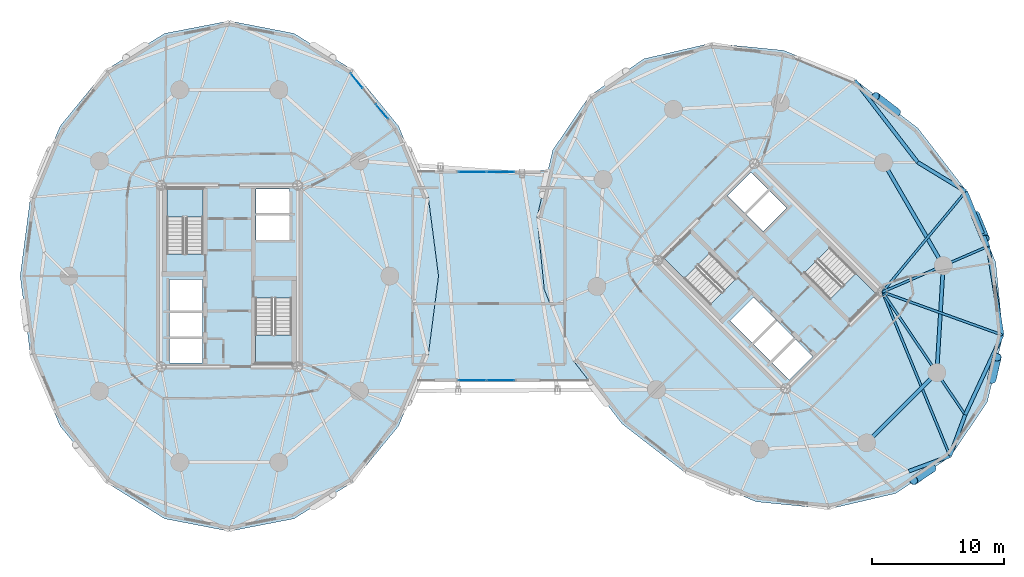
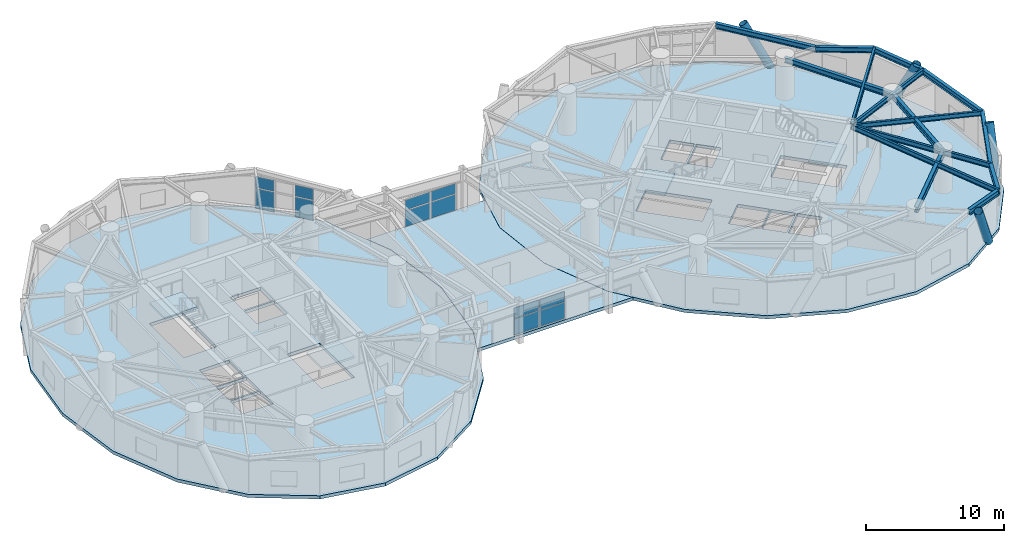
# One storey, part 11 of 19: 15 beams, 12 plates, 7 slabs, 4 members, 7 elements without a shape of their own.
"""IFC4 building model written with IfcOpenShell, lengths in metres."""

from ifc_helpers import new_model, si_unit, direction, frame, origin, origin_2d, place, context, subcontext, project, spatial, polyline, rectangle, hollow_circle, i_section, outline, extrude, source, transform, mapped, material, layer, layer_set, material_profile, profile_set, type_object, element, aggregate, save


model = new_model("IFC4")

# Units and contexts
model_context = context("Model", 3, precision=1e-05, world=origin(), true_north=direction((0.0, 1.0)))
body_context = subcontext(model_context, "Body", "Model", "MODEL_VIEW")
ifc_project = project(units=[si_unit("LENGTHUNIT", "METRE"), si_unit("AREAUNIT", "SQUARE_METRE"), si_unit("VOLUMEUNIT", "CUBIC_METRE"), si_unit("PLANEANGLEUNIT", "RADIAN"), si_unit("MASSUNIT", "GRAM", prefix="KILO")], contexts=[model_context])

# Site, building, storey
site_placement = place(None, origin())
site = spatial("IfcSite", under=ifc_project, at=site_placement, CompositionType="ELEMENT")
building_placement = place(site_placement, origin())
building = spatial("IfcBuilding", under=site, at=building_placement, Name="Cununo Teusaquillo Station Towers", CompositionType="ELEMENT")
storey_placement = place(building_placement, frame((0.0, 0.0, 132.8798828125)))
storey = spatial("IfcBuildingStorey", under=building, at=storey_placement, Name="L42", CompositionType="ELEMENT", Elevation=132.8798828125)

# Beams
ifc_material_1 = material(Name="Steel ASTM A572 Grade 50", Category="steel")
ifc_material_profile_1 = material_profile(ifc_material_1, i_section(OverallWidth=0.180908203125, OverallDepth=0.4169921875, WebThickness=0.010986328125, FlangeThickness=0.018310546875, FilletRadius=0.012939453125, at=origin_2d()), Name="W16X57")
ifc_profile_set_1 = profile_set([ifc_material_profile_1], Name="Steel ASTM A572 Grade 50")
beam_type_1 = type_object("IfcBeamType", Name="BM-JOIST-1", PredefinedType="JOIST", material=ifc_profile_set_1)
beam_1_placement = place(storey_placement, frame((66.024169921875, 23.29443359375, 3.231689453125), z_axis=(0.380485864505, -0.924786735908, 0.0), x_axis=(0.924786735908, 0.380485864505, 0.0)))
element("IfcBeam", 1, at=beam_1_placement, inside=storey, type_object=beam_type_1, Name="L42 Tower B Radial Spandrel Joist V15", PredefinedType="JOIST", context=body_context, shape_type="SweptSolid", body=[
    extrude(i_section(OverallWidth=0.180908203125, OverallDepth=0.4169921875, WebThickness=0.010986328125, FlangeThickness=0.018310546875, FilletRadius=0.012939453125, at=origin_2d()), origin(), (0.0, 0.0, 1.0), 13.44580078125),
])
beam_2_placement = place(storey_placement, frame((66.024169921875, 23.29443359375, 3.231689453125), z_axis=(0.941082771055, -0.338176312038, 0.0), x_axis=(0.338176312038, 0.941082771055, 0.0)))
element("IfcBeam", 2, at=beam_2_placement, inside=storey, type_object=beam_type_1, Name="L42 Tower B Radial Spandrel Joist V17", PredefinedType="JOIST", context=body_context, shape_type="SweptSolid", body=[
    extrude(i_section(OverallWidth=0.180908203125, OverallDepth=0.4169921875, WebThickness=0.010986328125, FlangeThickness=0.018310546875, FilletRadius=0.012939453125, at=origin_2d()), origin(), (0.0, 0.0, 1.0), 9.646484375),
])
beam_3_placement = place(storey_placement, frame((66.024169921875, 23.29443359375, 3.231689453125), z_axis=(0.638372238196, 0.769727799615, 0.0), x_axis=(-0.769727799615, 0.638372238196, 0.0)))
element("IfcBeam", 3, at=beam_3_placement, inside=storey, type_object=beam_type_1, Name="L42 Tower B Radial Spandrel Joist V19", PredefinedType="JOIST", context=body_context, shape_type="SweptSolid", body=[
    extrude(i_section(OverallWidth=0.180908203125, OverallDepth=0.4169921875, WebThickness=0.010986328125, FlangeThickness=0.018310546875, FilletRadius=0.012939453125, at=origin_2d()), origin(), (0.0, 0.0, 1.0), 9.895263671875),
])
ifc_material_2 = material(Name="Steel ASTM A572 Grade 50", Category="steel")
ifc_material_profile_2 = material_profile(ifc_material_2, i_section(OverallWidth=0.180908203125, OverallDepth=0.4169921875, WebThickness=0.010986328125, FlangeThickness=0.018310546875, FilletRadius=0.012939453125, at=origin_2d()), Name="W16X57")
ifc_profile_set_2 = profile_set([ifc_material_profile_2], Name="Steel ASTM A572 Grade 50")
beam_type_2 = type_object("IfcBeamType", Name="BM-RAD-G2", PredefinedType="BEAM", material=ifc_profile_set_2)
beam_4_placement = place(storey_placement, frame((66.024169921875, 23.29443359375, 3.231689453125), z_axis=(0.558572297481, -0.82945583878, 0.0), x_axis=(0.82945583878, 0.558572297481, 0.0)))
element("IfcBeam", 4, at=beam_4_placement, inside=storey, type_object=beam_type_2, Name="L42 Tower B Continuous Overhanging Radial Girder 09", PredefinedType="BEAM", context=body_context, shape_type="SweptSolid", body=[
    extrude(i_section(OverallWidth=0.180908203125, OverallDepth=0.4169921875, WebThickness=0.010986328125, FlangeThickness=0.018310546875, FilletRadius=0.012939453125, at=origin_2d()), origin(), (0.0, 0.0, 1.0), 11.22998046875),
])
beam_5_placement = place(storey_placement, frame((66.024169921875, 23.29443359375, 3.231689453125), z_axis=(0.917654733344, 0.397378648609, 0.0), x_axis=(-0.397378648609, 0.917654733344, 0.0)))
element("IfcBeam", 5, at=beam_5_placement, inside=storey, type_object=beam_type_2, Name="L42 Tower B Continuous Overhanging Radial Girder 10", PredefinedType="BEAM", context=body_context, shape_type="SweptSolid", body=[
    extrude(i_section(OverallWidth=0.180908203125, OverallDepth=0.4169921875, WebThickness=0.010986328125, FlangeThickness=0.018310546875, FilletRadius=0.012939453125, at=origin_2d()), origin(), (0.0, 0.0, 1.0), 8.71484375),
])
ifc_material_3 = material(Name="Steel ASTM A572 Grade 50", Category="steel")
ifc_material_profile_3 = material_profile(ifc_material_3, i_section(OverallWidth=0.280029296875, OverallDepth=0.462890625, WebThickness=0.0107421875, FlangeThickness=0.017333984375, FilletRadius=0.013916015625, at=origin_2d()), Name="W18X76")
ifc_profile_set_3 = profile_set([ifc_material_profile_3], Name="Steel ASTM A572 Grade 50")
beam_type_3 = type_object("IfcBeamType", Name="BM-RING-Z2", PredefinedType="SPANDREL", material=ifc_profile_set_3)
beam_6_placement = place(storey_placement, frame((64.826904296875, 11.853759765625, 3.20849609375), z_axis=(0.707106781187, 0.707106781187, 0.0), x_axis=(-0.707106781187, 0.707106781187, 0.0)))
element("IfcBeam", 6, at=beam_6_placement, inside=storey, type_object=beam_type_3, Name="L42 Tower B Structural Column Ring Girder 08", PredefinedType="SPANDREL", context=body_context, shape_type="SweptSolid", body=[
    extrude(i_section(OverallWidth=0.280029296875, OverallDepth=0.462890625, WebThickness=0.0107421875, FlangeThickness=0.017333984375, FilletRadius=0.013916015625, at=origin_2d()), origin(), (0.0, 0.0, 1.0), 7.522705078125),
])
beam_7_placement = place(storey_placement, frame((70.146240234375, 17.173095703125, 3.20849609375), z_axis=(0.06012979176, 0.998190567048, 0.0), x_axis=(-0.998190567048, 0.06012979176, 0.0)))
element("IfcBeam", 7, at=beam_7_placement, inside=storey, type_object=beam_type_3, Name="L42 Tower B Structural Column Ring Girder 09", PredefinedType="SPANDREL", context=body_context, shape_type="SweptSolid", body=[
    extrude(i_section(OverallWidth=0.280029296875, OverallDepth=0.462890625, WebThickness=0.0107421875, FlangeThickness=0.017333984375, FilletRadius=0.013916015625, at=origin_2d()), origin(), (0.0, 0.0, 1.0), 8.132568359375),
])
beam_8_placement = place(storey_placement, frame((70.63525390625, 25.291015625, 3.20849609375), z_axis=(-0.501311121078, 0.865267103202, 0.0), x_axis=(-0.865267103202, -0.501311121078, 0.0)))
element("IfcBeam", 8, at=beam_8_placement, inside=storey, type_object=beam_type_3, Name="L42 Tower B Structural Column Ring Girder 10", PredefinedType="SPANDREL", context=body_context, shape_type="SweptSolid", body=[
    extrude(i_section(OverallWidth=0.280029296875, OverallDepth=0.462890625, WebThickness=0.0107421875, FlangeThickness=0.017333984375, FilletRadius=0.013916015625, at=origin_2d()), origin(), (0.0, 0.0, 1.0), 9.032958984375),
])
beam_9_placement = place(storey_placement, frame((68.694580078125, 33.12890625, 3.20849609375), z_axis=(-0.610100441726, 0.792324082056, 0.0), x_axis=(-0.792324082056, -0.610100441726, 0.0)))
element("IfcBeam", 9, at=beam_9_placement, inside=storey, type_object=beam_type_3, Name="L42 Tower B Spandrel Ring Beam 01", PredefinedType="SPANDREL", context=body_context, shape_type="SweptSolid", body=[
    extrude(i_section(OverallWidth=0.280029296875, OverallDepth=0.462890625, WebThickness=0.0107421875, FlangeThickness=0.017333984375, FilletRadius=0.013916015625, at=origin_2d()), origin(), (0.0, 0.0, 1.0), 7.84033203125),
])
for number, where, z_axis, x_axis, name in (
    (10, (68.020263671875, 9.703125, 3.20849609375), (0.937628334414, 0.347639333943, 0.0), (-0.347639333943, 0.937628334414, 0.0), "L42 Tower B Spandrel Ring Beam 15"),
    (11, (71.14013671875, 10.85986328125, 3.20849609375), (0.347639333943, 0.937628334414, 0.0), (-0.937628334414, 0.347639333943, 0.0), "L42 Tower B Spandrel Ring Beam 16"),
):
    element("IfcBeam", number, at=place(storey_placement, frame(where, z_axis=z_axis, x_axis=x_axis)), inside=storey, type_object=beam_type_3, Name=name, PredefinedType="SPANDREL", context=body_context, shape_type="SweptSolid", body=[
        extrude(i_section(OverallWidth=0.280029296875, OverallDepth=0.462890625, WebThickness=0.0107421875, FlangeThickness=0.017333984375, FilletRadius=0.013916015625, at=origin_2d()), origin(), (0.0, 0.0, 1.0), 3.327392578125),
    ])
beam_10_placement = place(storey_placement, frame((72.296875, 13.979736328125, 3.20849609375), z_axis=(0.420535961689, 0.907275870354, 0.0), x_axis=(-0.907275870354, 0.420535961689, 0.0)))
element("IfcBeam", 12, at=beam_10_placement, inside=storey, type_object=beam_type_3, Name="L42 Tower B Spandrel Ring Beam 17", PredefinedType="SPANDREL", context=body_context, shape_type="SweptSolid", body=[
    extrude(i_section(OverallWidth=0.280029296875, OverallDepth=0.462890625, WebThickness=0.0107421875, FlangeThickness=0.017333984375, FilletRadius=0.013916015625, at=origin_2d()), origin(), (0.0, 0.0, 1.0), 6.671142578125),
])
beam_11_placement = place(storey_placement, frame((75.102294921875, 20.0322265625, 3.20849609375), z_axis=(-0.158671232312, 0.987331474246, 0.0), x_axis=(-0.987331474246, -0.158671232312, 0.0)))
element("IfcBeam", 13, at=beam_11_placement, inside=storey, type_object=beam_type_3, Name="L42 Tower B Spandrel Ring Beam 18", PredefinedType="SPANDREL", context=body_context, shape_type="SweptSolid", body=[
    extrude(i_section(OverallWidth=0.280029296875, OverallDepth=0.462890625, WebThickness=0.0107421875, FlangeThickness=0.017333984375, FilletRadius=0.013916015625, at=origin_2d()), origin(), (0.0, 0.0, 1.0), 6.8115234375),
])
beam_12_placement = place(storey_placement, frame((74.021484375, 26.757568359375, 3.20849609375), z_axis=(-0.375042266631, 0.927007712072, 0.0), x_axis=(-0.927007712072, -0.375042266631, 0.0)))
element("IfcBeam", 14, at=beam_12_placement, inside=storey, type_object=beam_type_3, Name="L42 Tower B Spandrel Ring Beam 19", PredefinedType="SPANDREL", context=body_context, shape_type="SweptSolid", body=[
    extrude(i_section(OverallWidth=0.280029296875, OverallDepth=0.462890625, WebThickness=0.0107421875, FlangeThickness=0.017333984375, FilletRadius=0.013916015625, at=origin_2d()), origin(), (0.0, 0.0, 1.0), 4.480712890625),
])
beam_13_placement = place(storey_placement, frame((72.341064453125, 30.9111328125, 3.20849609375), z_axis=(-0.854388492444, 0.519634779416, 0.0), x_axis=(-0.519634779416, -0.854388492444, 0.0)))
element("IfcBeam", 15, at=beam_13_placement, inside=storey, type_object=beam_type_3, Name="L42 Tower B Spandrel Ring Beam 20", PredefinedType="SPANDREL", context=body_context, shape_type="SweptSolid", body=[
    extrude(i_section(OverallWidth=0.280029296875, OverallDepth=0.462890625, WebThickness=0.0107421875, FlangeThickness=0.017333984375, FilletRadius=0.013916015625, at=origin_2d()), origin(), (0.0, 0.0, 1.0), 4.26806640625),
])

# Members
ifc_material_4 = material(Name="Steel EN 10025-2 S355J2", Category="steel")
ifc_material_profile_4 = material_profile(ifc_material_4, hollow_circle(Radius=0.330078125, WallThickness=0.02490234375, at=origin_2d()), Name="CHS 660x25")
ifc_profile_set_4 = profile_set([ifc_material_profile_4], Name="Steel EN 10025-2 S355J2")
member_type = type_object("IfcMemberType", Name="MBR-DIAG-Z2", PredefinedType="BRACE", material=ifc_profile_set_4)
member_1_placement = place(storey_placement, frame((67.085693359375, 36.895751953125, -0.139892578125), z_axis=(-0.375692417453, 0.289367521779, 0.88040992998), x_axis=(-0.610205273886, -0.792243348803, 0.0)))
element("IfcMember", 16, at=member_1_placement, inside=storey, type_object=member_type, Name="L42 Tower B Folded-Zigzag Diagrid Tube C00", PredefinedType="BRACE", context=body_context, shape_type="SweptSolid", body=[
    extrude(hollow_circle(Radius=0.330078125, WallThickness=0.02490234375, at=origin_2d()), origin(), (0.0, 0.0, 1.0), 4.225341796875),
])
member_2_placement = place(storey_placement, frame((69.7666015625, 9.931396484375, -0.139892578125), z_axis=(-0.337206220245, -0.227921431, 0.913424209401), x_axis=(0.559991322854, -0.828498472134, 0.0)))
element("IfcMember", 17, at=member_2_placement, inside=storey, type_object=member_type, Name="L42 Tower B Folded-Zigzag Diagrid Tube C14", PredefinedType="BRACE", context=body_context, shape_type="SweptSolid", body=[
    extrude(hollow_circle(Radius=0.330078125, WallThickness=0.02490234375, at=origin_2d()), origin(), (0.0, 0.0, 1.0), 4.072509765625),
])
member_3_placement = place(storey_placement, frame((74.317626953125, 16.664306640625, -0.139892578125), z_axis=(0.095639341372, 0.410529045914, 0.90681807373), x_axis=(-0.973920299704, 0.226890391653, 0.0)))
element("IfcMember", 18, at=member_3_placement, inside=storey, type_object=member_type, Name="L42 Tower B Folded-Zigzag Diagrid Tube C16", PredefinedType="BRACE", context=body_context, shape_type="SweptSolid", body=[
    extrude(hollow_circle(Radius=0.330078125, WallThickness=0.02490234375, at=origin_2d()), origin(), (0.0, 0.0, 1.0), 4.102294921875),
])
member_4_placement = place(storey_placement, frame((73.07958984375, 29.114501953125, -0.139892578125), z_axis=(0.175986059841, -0.428067910184, 0.886446146707), x_axis=(0.924888817599, 0.380237656053, 0.0)))
element("IfcMember", 19, at=member_4_placement, inside=storey, type_object=member_type, Name="L42 Tower B Folded-Zigzag Diagrid Tube C18", PredefinedType="BRACE", context=body_context, shape_type="SweptSolid", body=[
    extrude(hollow_circle(Radius=0.330078125, WallThickness=0.02490234375, at=origin_2d()), origin(), (0.0, 0.0, 1.0), 4.196533203125),
])

# Slabs
ifc_material_5 = material(Name="Concrete C50/60", Category="concrete")
ifc_layer_1 = layer(ifc_material_5, 0.280029296875)
ifc_layer_set_1 = layer_set([ifc_layer_1], Name="Concrete C50/60")
slab_type_1 = type_object("IfcSlabType", Name="SLB-BRG-280", PredefinedType="FLOOR", material=ifc_layer_set_1)
slab_1_placement = place(storey_placement, frame((0.0, 0.0, -0.27978515625)))
element("IfcSlab", 20, at=slab_1_placement, inside=storey, type_object=slab_type_1, Name="L42 Tower A Floor Slab", PredefinedType="FLOOR", context=body_context, shape_type="SweptSolid", body=[
    extrude(outline(polyline([(32.361083984375, 24.5), (31.584716796875, 30.4794921875), (29.331787109375, 35.87353515625), (25.822998046875, 40.154541015625), (21.4013671875, 42.90283203125), (16.5, 43.85009765625), (11.5986328125, 42.90283203125), (7.177001953125, 40.154541015625), (3.668212890625, 35.87353515625), (1.415283203125, 30.4794921875), (0.638916015625, 24.5), (1.415283203125, 18.5205078125), (3.668212890625, 13.12646484375), (7.177001953125, 8.845458984375), (11.5986328125, 6.09716796875), (16.5, 5.14990234375), (21.4013671875, 6.09716796875), (25.822998046875, 8.845458984375), (29.331787109375, 13.12646484375), (31.584716796875, 18.5205078125), (32.361083984375, 24.5)]), holes=[polyline([(14.52001953125, 26.176025390625), (14.52001953125, 31.159912109375), (11.760009765625, 31.159912109375), (11.760009765625, 26.176025390625), (14.52001953125, 26.176025390625)]), polyline([(18.47998046875, 22.823974609375), (18.47998046875, 17.840087890625), (21.239990234375, 17.840087890625), (21.239990234375, 22.823974609375), (18.47998046875, 22.823974609375)]), polyline([(11.949951171875, 21.85009765625), (14.47998046875, 21.85009765625), (14.47998046875, 24.25), (11.949951171875, 24.25), (11.949951171875, 21.85009765625)]), polyline([(11.949951171875, 17.89990234375), (14.47998046875, 17.89990234375), (14.47998046875, 19.75), (11.949951171875, 19.75), (11.949951171875, 17.89990234375)]), polyline([(11.949951171875, 19.89990234375), (14.47998046875, 19.89990234375), (14.47998046875, 21.75), (11.949951171875, 21.75), (11.949951171875, 19.89990234375)]), polyline([(18.52001953125, 27.25), (21.050048828125, 27.25), (21.050048828125, 29.10009765625), (18.52001953125, 29.10009765625), (18.52001953125, 27.25)]), polyline([(18.52001953125, 29.25), (21.050048828125, 29.25), (21.050048828125, 31.10009765625), (18.52001953125, 31.10009765625), (18.52001953125, 29.25)])]), origin(), (0.0, 0.0, 1.0), 0.27978515625),
])
slab_2_placement = place(storey_placement, frame((0.0, 0.0, -0.27978515625)))
element("IfcSlab", 21, at=slab_2_placement, inside=storey, type_object=slab_type_1, Name="L42 Tower B Floor Slab", PredefinedType="FLOOR", context=body_context, shape_type="SweptSolid", body=[
    extrude(outline(polyline([(68.71533203125, 35.71533203125), (63.938232421875, 39.39453125), (58.531005859375, 41.61572265625), (53.02294921875, 42.16162109375), (47.952880859375, 40.978515625), (43.8173828125, 38.1826171875), (41.021484375, 34.047119140625), (39.83837890625, 28.97705078125), (40.38427734375, 23.468994140625), (42.60546875, 18.061767578125), (46.28466796875, 13.28466796875), (51.061767578125, 9.60546875), (56.468994140625, 7.38427734375), (61.97705078125, 6.83837890625), (67.047119140625, 8.021484375), (71.1826171875, 10.8173828125), (73.978515625, 14.952880859375), (75.16162109375, 20.02294921875), (74.61572265625, 25.531005859375), (72.39453125, 30.938232421875), (68.71533203125, 35.71533203125)]), holes=[polyline([(54.914794921875, 24.28515625), (51.390625, 27.809326171875), (49.43896484375, 25.857666015625), (52.963134765625, 22.33349609375), (54.914794921875, 24.28515625)]), polyline([(60.085205078125, 24.71484375), (63.609375, 21.190673828125), (65.56103515625, 23.142333984375), (62.036865234375, 26.66650390625), (60.085205078125, 24.71484375)]), polyline([(56.156494140625, 19.40869140625), (57.945556640625, 21.19775390625), (56.248291015625, 22.89501953125), (54.45947265625, 21.10595703125), (56.156494140625, 19.40869140625)]), polyline([(58.94970703125, 16.61572265625), (60.738525390625, 18.40478515625), (59.430419921875, 19.712890625), (57.641357421875, 17.923828125), (58.94970703125, 16.61572265625)]), polyline([(57.535400390625, 18.030029296875), (59.32421875, 19.819091796875), (58.01611328125, 21.127197265625), (56.227294921875, 19.338134765625), (57.535400390625, 18.030029296875)]), polyline([(56.98388671875, 27.872802734375), (58.772705078125, 29.661865234375), (57.464599609375, 30.969970703125), (55.67578125, 29.180908203125), (56.98388671875, 27.872802734375)]), polyline([(55.569580078125, 29.287109375), (57.358642578125, 31.076171875), (56.05029296875, 32.38427734375), (54.261474609375, 30.59521484375), (55.569580078125, 29.287109375)])]), origin(), (0.0, 0.0, 1.0), 0.27978515625),
])
slab_3_placement = place(storey_placement, frame((0.0, 0.0, -0.27978515625)))
element("IfcSlab", 22, at=slab_3_placement, inside=storey, type_object=slab_type_1, Name="L42 Mid-Bridge Link Floor Slab", PredefinedType="FLOOR", context=body_context, shape_type="SweptSolid", body=[
    extrude(outline(polyline([(30.74609375, 16.5), (31.58935546875, 18.5185546875), (31.589599609375, 18.51904296875), (31.589599609375, 18.519287109375), (31.589599609375, 18.52001953125), (32.365966796875, 24.49951171875), (32.365966796875, 24.499755859375), (32.365966796875, 24.500244140625), (32.365966796875, 24.50048828125), (31.589599609375, 30.47998046875), (31.589599609375, 30.480712890625), (31.589599609375, 30.48095703125), (31.58935546875, 30.4814453125), (30.74609375, 32.5), (40.6552734375, 32.5), (39.83349609375, 28.978271484375), (39.833251953125, 28.977783203125), (39.833251953125, 28.977294921875), (39.833251953125, 28.9765625), (40.379150390625, 23.468505859375), (40.37939453125, 23.468017578125), (40.37939453125, 23.467529296875), (40.379638671875, 23.467041015625), (42.600830078125, 18.059814453125), (42.60107421875, 18.059326171875), (42.601318359375, 18.05908203125), (42.601318359375, 18.05859375), (43.802001953125, 16.5), (30.74609375, 16.5)])), origin(), (0.0, 0.0, 1.0), 0.27978515625),
])

# Stair, slab
ifc_material_6 = material(Name="Concrete C50/60", Category="concrete")
stair_type = type_object("IfcStairType", Name="ST-TWR-1300", PredefinedType="HALF_TURN_STAIR", material=ifc_material_6)
stair_1_placement = place(storey_placement, origin())
stair_1 = element("IfcStair", 23, at=stair_1_placement, inside=storey, type_object=stair_type, Name="L42 Tower A Protected Core Exit Stair 1", PredefinedType="HALF_TURN_STAIR")
ifc_material_7 = material(Name="Concrete C50/60", Category="concrete")
ifc_layer_2 = layer(ifc_material_7, 0.199951171875)
ifc_layer_set_2 = layer_set([ifc_layer_2], Name="Concrete C50/60")
slab_type_2 = type_object("IfcSlabType", Name="SLB-STAIR-LND", PredefinedType="LANDING", material=ifc_layer_set_2)
slab_4_placement = place(storey_placement, frame((0.0, 0.0, 1.66015625)))
slab_4 = element("IfcSlab", 24, at=slab_4_placement, type_object=slab_type_2, Name="ST-T1-1 landing 1", PredefinedType="LANDING", context=body_context, shape_type="SweptSolid", body=[
    extrude(outline(polyline([(14.52001953125, 28.969970703125), (14.52001953125, 31.159912109375), (11.760009765625, 31.159912109375), (11.760009765625, 28.969970703125), (14.52001953125, 28.969970703125)])), origin(), (0.0, 0.0, 1.0), 0.199951171875),
])
aggregate(stair_1, [slab_4])

stair_2_placement = place(storey_placement, origin())
stair_2 = element("IfcStair", 25, at=stair_2_placement, inside=storey, type_object=stair_type, Name="L42 Tower A Protected Core Exit Stair 2", PredefinedType="HALF_TURN_STAIR")
slab_5_placement = place(storey_placement, frame((0.0, 0.0, 1.66015625)))
slab_5 = element("IfcSlab", 26, at=slab_5_placement, type_object=slab_type_2, Name="ST-T1-2 landing 1", PredefinedType="LANDING", context=body_context, shape_type="SweptSolid", body=[
    extrude(outline(polyline([(18.47998046875, 20.030029296875), (18.47998046875, 17.840087890625), (21.239990234375, 17.840087890625), (21.239990234375, 20.030029296875), (18.47998046875, 20.030029296875)])), origin(), (0.0, 0.0, 1.0), 0.199951171875),
])
aggregate(stair_2, [slab_5])

stair_3_placement = place(storey_placement, origin())
stair_3 = element("IfcStair", 27, at=stair_3_placement, inside=storey, type_object=stair_type, Name="L42 Tower B Protected Core Exit Stair 1", PredefinedType="HALF_TURN_STAIR")
slab_6_placement = place(storey_placement, frame((0.0, 0.0, 1.66015625)))
slab_6 = element("IfcSlab", 28, at=slab_6_placement, type_object=slab_type_2, Name="ST-T2-1 landing 1", PredefinedType="LANDING", context=body_context, shape_type="SweptSolid", body=[
    extrude(outline(polyline([(52.939208984375, 26.2607421875), (51.390625, 27.809326171875), (49.43896484375, 25.857666015625), (50.987548828125, 24.30908203125), (52.939208984375, 26.2607421875)])), origin(), (0.0, 0.0, 1.0), 0.199951171875),
])
aggregate(stair_3, [slab_6])

stair_4_placement = place(storey_placement, origin())
stair_4 = element("IfcStair", 29, at=stair_4_placement, inside=storey, type_object=stair_type, Name="L42 Tower B Protected Core Exit Stair 2", PredefinedType="HALF_TURN_STAIR")
slab_7_placement = place(storey_placement, frame((0.0, 0.0, 1.66015625)))
slab_7 = element("IfcSlab", 30, at=slab_7_placement, type_object=slab_type_2, Name="ST-T2-2 landing 1", PredefinedType="LANDING", context=body_context, shape_type="SweptSolid", body=[
    extrude(outline(polyline([(62.060791015625, 22.7392578125), (63.609375, 21.190673828125), (65.56103515625, 23.142333984375), (64.012451171875, 24.69091796875), (62.060791015625, 22.7392578125)])), origin(), (0.0, 0.0, 1.0), 0.199951171875),
])
aggregate(stair_4, [slab_7])

# Curtain wall, plates
ifc_material_8 = material(Name="Ceramic-fritted dark low-E double glazing", Category="glass")
ifc_layer_3 = layer(ifc_material_8, 0.179931640625)
ifc_layer_set_3 = layer_set([ifc_layer_3], Name="Ceramic-fritted dark low-E double glazing")
curtain_wall_type_1 = type_object("IfcCurtainWallType", Name="CW-SYS-04", PredefinedType="USERDEFINED", material=ifc_layer_set_3)
curtain_wall_1_placement = place(storey_placement, origin())
curtain_wall_1 = element("IfcCurtainWall", 31, at=curtain_wall_1_placement, inside=storey, type_object=curtain_wall_type_1, Name="L42 Tower A Facade Curtain Wall C02", ObjectType="FRITTED GLAZING", PredefinedType="USERDEFINED")
ifc_material_9 = material(Name="Ceramic-fritted dark low-E double glazing", Category="glass")
ifc_layer_4 = layer(ifc_material_9, 0.028076171875)
ifc_layer_set_4 = layer_set([ifc_layer_4], Name="Ceramic-fritted dark low-E double glazing")
plate_type = type_object("IfcPlateType", Name="CWP-FRIT-28", PredefinedType="CURTAIN_PANEL", material=ifc_layer_set_4)
shared_shape_1 = source(origin(), body_context, "Body", "SweptSolid", [
    extrude(rectangle(XDim=1.427734375, YDim=0.028076171875, at=origin_2d()), origin(), (0.0, 0.0, 1.0), 1.7451171875),
])
plate_1_placement = place(storey_placement, frame((26.154296875, 39.321044921875, 0.070068359375), z_axis=(0.0, 0.0, 1.0), x_axis=(0.63270351247, -0.774394127889, 0.0)))
plate_1 = element("IfcPlate", 32, at=plate_1_placement, type_object=plate_type, Name="CW-04 panel 1.1", PredefinedType="CURTAIN_PANEL", context=body_context, shape_type="MappedRepresentation", body=[
    mapped(shared_shape_1, transform((0.0, 0.0, 0.0), x_axis=(1.0, 0.0, 0.0), y_axis=(0.0, 1.0, 0.0), z_axis=(0.0, 0.0, 1.0), scale=1.0)),
])
plate_2_placement = place(storey_placement, frame((28.071533203125, 36.974365234375, 0.070068359375), z_axis=(0.0, 0.0, 1.0), x_axis=(0.63270351247, -0.774394127889, 0.0)))
plate_2 = element("IfcPlate", 33, at=plate_2_placement, type_object=plate_type, Name="CW-04 panel 3.1", PredefinedType="CURTAIN_PANEL", context=body_context, shape_type="MappedRepresentation", body=[
    mapped(shared_shape_1, transform((0.0, 0.0, 0.0), x_axis=(1.0, 0.0, 0.0), y_axis=(0.0, 1.0, 0.0), z_axis=(0.0, 0.0, 1.0), scale=1.0)),
])
shared_shape_2 = source(origin(), body_context, "Body", "SweptSolid", [
    extrude(rectangle(XDim=1.427734375, YDim=0.028076171875, at=origin_2d()), origin(), (0.0, 0.0, 1.0), 0.993896484375),
])
plate_3_placement = place(storey_placement, frame((26.154296875, 39.321044921875, 1.88525390625), z_axis=(0.0, 0.0, 1.0), x_axis=(0.63270351247, -0.774394127889, 0.0)))
plate_3 = element("IfcPlate", 34, at=plate_3_placement, type_object=plate_type, Name="CW-04 panel 1.2", PredefinedType="CURTAIN_PANEL", context=body_context, shape_type="MappedRepresentation", body=[
    mapped(shared_shape_2, transform((0.0, 0.0, 0.0), x_axis=(1.0, 0.0, 0.0), y_axis=(0.0, 1.0, 0.0), z_axis=(0.0, 0.0, 1.0), scale=1.0)),
])
plate_4_placement = place(storey_placement, frame((28.071533203125, 36.974365234375, 1.88525390625), z_axis=(0.0, 0.0, 1.0), x_axis=(0.63270351247, -0.774394127889, 0.0)))
plate_4 = element("IfcPlate", 35, at=plate_4_placement, type_object=plate_type, Name="CW-04 panel 3.2", PredefinedType="CURTAIN_PANEL", context=body_context, shape_type="MappedRepresentation", body=[
    mapped(shared_shape_2, transform((0.0, 0.0, 0.0), x_axis=(1.0, 0.0, 0.0), y_axis=(0.0, 1.0, 0.0), z_axis=(0.0, 0.0, 1.0), scale=1.0)),
])
aggregate(curtain_wall_1, [plate_1, plate_3, plate_2, plate_4])

ifc_material_10 = material(Name="Ceramic-fritted dark low-E double glazing", Category="glass")
ifc_layer_5 = layer(ifc_material_10, 0.179931640625)
ifc_layer_set_5 = layer_set([ifc_layer_5], Name="Ceramic-fritted dark low-E double glazing")
curtain_wall_type_2 = type_object("IfcCurtainWallType", Name="CW-SYS-05", PredefinedType="USERDEFINED", material=ifc_layer_set_5)
curtain_wall_2_placement = place(storey_placement, origin())
curtain_wall_2 = element("IfcCurtainWall", 36, at=curtain_wall_2_placement, inside=storey, type_object=curtain_wall_type_2, Name="L42 Mid-Bridge N Observation Curtain Wall", ObjectType="FRITTED GLAZING", PredefinedType="USERDEFINED")
shared_shape_3 = source(origin(), body_context, "Body", "SweptSolid", [
    extrude(rectangle(XDim=2.080078125, YDim=0.028076171875, at=origin_2d()), origin(), (0.0, 0.0, 1.0), 1.402099609375),
])
plate_5_placement = place(storey_placement, frame((34.919921875, 32.39990234375, 0.06982421875), z_axis=(0.0, 0.0, 1.0), x_axis=(1.0, 0.0, 0.0)))
plate_5 = element("IfcPlate", 37, at=plate_5_placement, type_object=plate_type, Name="CW-05 panel 1.1", PredefinedType="CURTAIN_PANEL", context=body_context, shape_type="MappedRepresentation", body=[
    mapped(shared_shape_3, transform((0.0, 0.0, 0.0), x_axis=(1.0, 0.0, 0.0), y_axis=(0.0, 1.0, 0.0), z_axis=(0.0, 0.0, 1.0), scale=1.0)),
])
plate_6_placement = place(storey_placement, frame((37.080078125, 32.39990234375, 0.06982421875), z_axis=(0.0, 0.0, 1.0), x_axis=(1.0, 0.0, 0.0)))
plate_6 = element("IfcPlate", 38, at=plate_6_placement, type_object=plate_type, Name="CW-05 panel 2.1", PredefinedType="CURTAIN_PANEL", context=body_context, shape_type="MappedRepresentation", body=[
    mapped(shared_shape_3, transform((0.0, 0.0, 0.0), x_axis=(1.0, 0.0, 0.0), y_axis=(0.0, 1.0, 0.0), z_axis=(0.0, 0.0, 1.0), scale=1.0)),
])

curtain_wall_3_placement = place(storey_placement, origin())
curtain_wall_3 = element("IfcCurtainWall", 39, at=curtain_wall_3_placement, inside=storey, type_object=curtain_wall_type_2, Name="L42 Mid-Bridge S Observation Curtain Wall", ObjectType="FRITTED GLAZING", PredefinedType="USERDEFINED")
plate_7_placement = place(storey_placement, frame((37.080078125, 16.60009765625, 0.06982421875), z_axis=(0.0, 0.0, 1.0), x_axis=(-1.0, 0.0, 0.0)))
plate_7 = element("IfcPlate", 40, at=plate_7_placement, type_object=plate_type, Name="CW-05 panel 1.1", PredefinedType="CURTAIN_PANEL", context=body_context, shape_type="MappedRepresentation", body=[
    mapped(shared_shape_3, transform((0.0, 0.0, 0.0), x_axis=(1.0, 0.0, 0.0), y_axis=(0.0, 1.0, 0.0), z_axis=(0.0, 0.0, 1.0), scale=1.0)),
])
plate_8_placement = place(storey_placement, frame((34.919921875, 16.60009765625, 0.06982421875), z_axis=(0.0, 0.0, 1.0), x_axis=(-1.0, 0.0, 0.0)))
plate_8 = element("IfcPlate", 41, at=plate_8_placement, type_object=plate_type, Name="CW-05 panel 2.1", PredefinedType="CURTAIN_PANEL", context=body_context, shape_type="MappedRepresentation", body=[
    mapped(shared_shape_3, transform((0.0, 0.0, 0.0), x_axis=(1.0, 0.0, 0.0), y_axis=(0.0, 1.0, 0.0), z_axis=(0.0, 0.0, 1.0), scale=1.0)),
])

# Plate
shared_shape_4 = source(origin(), body_context, "Body", "SweptSolid", [
    extrude(rectangle(XDim=2.080078125, YDim=0.028076171875, at=origin_2d()), origin(), (0.0, 0.0, 1.0), 0.89990234375),
])
plate_9_placement = place(storey_placement, frame((34.919921875, 32.39990234375, 1.542236328125), z_axis=(0.0, 0.0, 1.0), x_axis=(1.0, 0.0, 0.0)))
plate_9 = element("IfcPlate", 42, at=plate_9_placement, type_object=plate_type, Name="CW-05 panel 1.2", PredefinedType="CURTAIN_PANEL", context=body_context, shape_type="MappedRepresentation", body=[
    mapped(shared_shape_4, transform((0.0, 0.0, 0.0), x_axis=(1.0, 0.0, 0.0), y_axis=(0.0, 1.0, 0.0), z_axis=(0.0, 0.0, 1.0), scale=1.0)),
])

plate_10_placement = place(storey_placement, frame((37.080078125, 32.39990234375, 1.542236328125), z_axis=(0.0, 0.0, 1.0), x_axis=(1.0, 0.0, 0.0)))
plate_10 = element("IfcPlate", 43, at=plate_10_placement, type_object=plate_type, Name="CW-05 panel 2.2", PredefinedType="CURTAIN_PANEL", context=body_context, shape_type="MappedRepresentation", body=[
    mapped(shared_shape_4, transform((0.0, 0.0, 0.0), x_axis=(1.0, 0.0, 0.0), y_axis=(0.0, 1.0, 0.0), z_axis=(0.0, 0.0, 1.0), scale=1.0)),
])

aggregate(curtain_wall_2, [plate_5, plate_9, plate_6, plate_10])

plate_11_placement = place(storey_placement, frame((37.080078125, 16.60009765625, 1.542236328125), z_axis=(0.0, 0.0, 1.0), x_axis=(-1.0, 0.0, 0.0)))
plate_11 = element("IfcPlate", 44, at=plate_11_placement, type_object=plate_type, Name="CW-05 panel 1.2", PredefinedType="CURTAIN_PANEL", context=body_context, shape_type="MappedRepresentation", body=[
    mapped(shared_shape_4, transform((0.0, 0.0, 0.0), x_axis=(1.0, 0.0, 0.0), y_axis=(0.0, 1.0, 0.0), z_axis=(0.0, 0.0, 1.0), scale=1.0)),
])

plate_12_placement = place(storey_placement, frame((34.919921875, 16.60009765625, 1.542236328125), z_axis=(0.0, 0.0, 1.0), x_axis=(-1.0, 0.0, 0.0)))
plate_12 = element("IfcPlate", 45, at=plate_12_placement, type_object=plate_type, Name="CW-05 panel 2.2", PredefinedType="CURTAIN_PANEL", context=body_context, shape_type="MappedRepresentation", body=[
    mapped(shared_shape_4, transform((0.0, 0.0, 0.0), x_axis=(1.0, 0.0, 0.0), y_axis=(0.0, 1.0, 0.0), z_axis=(0.0, 0.0, 1.0), scale=1.0)),
])

aggregate(curtain_wall_3, [plate_7, plate_11, plate_8, plate_12])

save(model, "model.ifc")
